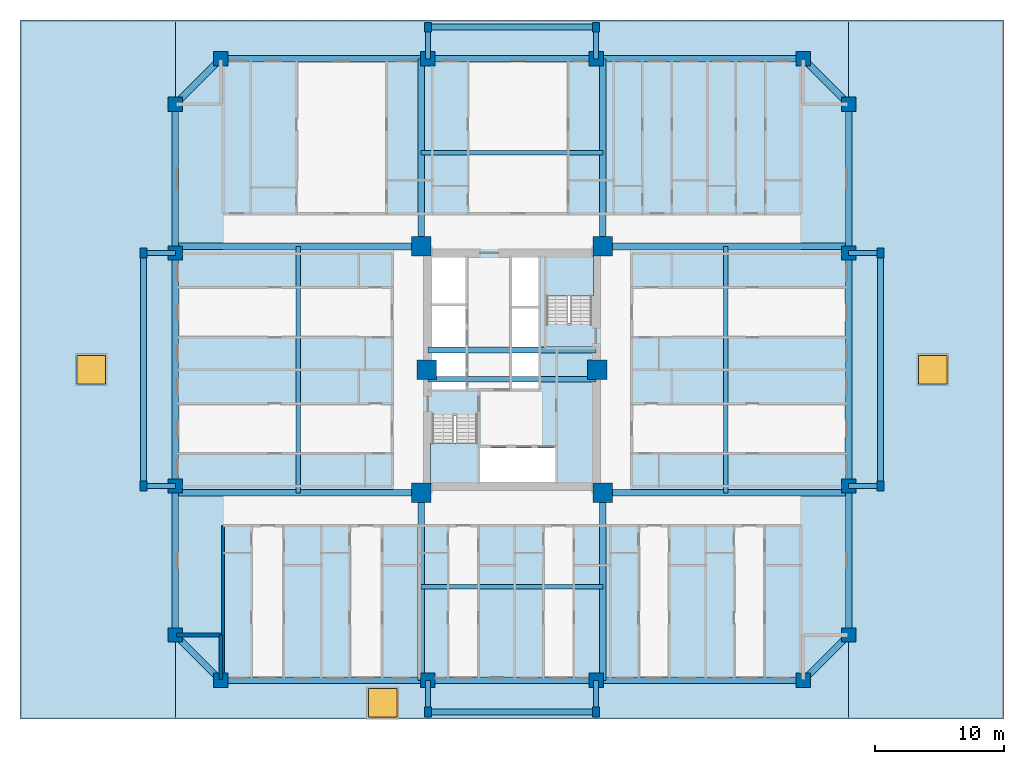
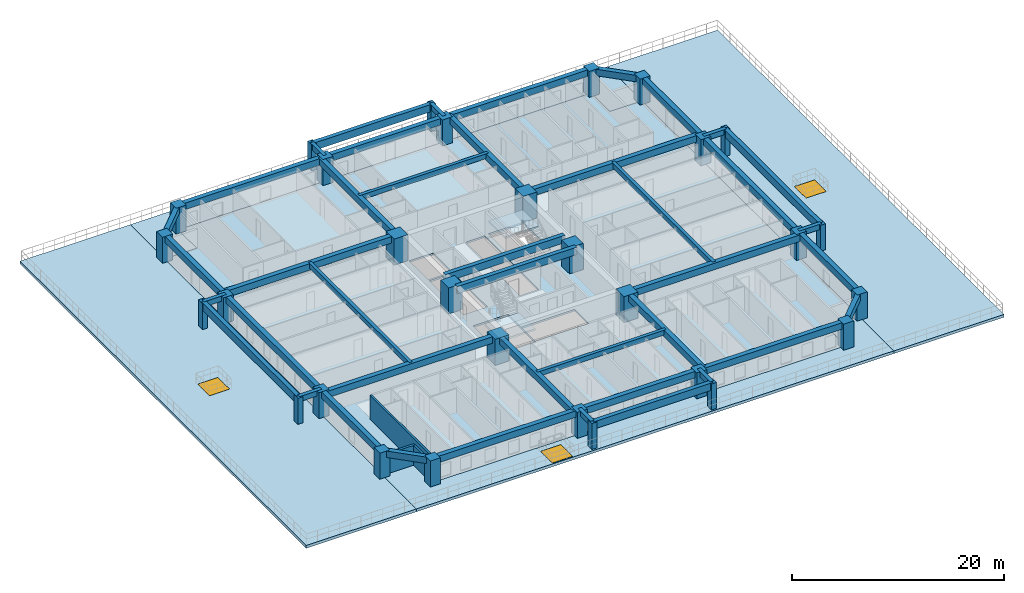
# One storey, part 1 of 19: 42 beams, 30 columns, 7 slabs, 3 walls, 3 windows, 3 openings, 2 elements without a shape of their own.
"""IFC4 building model written with IfcOpenShell, lengths in metres."""

from ifc_helpers import new_model, si_unit, direction, frame, frame_2d, origin, origin_2d, place, context, subcontext, project, spatial, polyline, rectangle, outline, extrude, source, transform, mapped, material, layer, layer_set, material_profile, profile_set, type_object, element, fill, aggregate, save


model = new_model("IFC4")

# Units and contexts
model_context = context("Model", 3, precision=1e-05, world=origin(), true_north=direction((0.0, 1.0)))
body_context = subcontext(model_context, "Body", "Model", "MODEL_VIEW")
ifc_project = project(units=[si_unit("LENGTHUNIT", "METRE"), si_unit("AREAUNIT", "SQUARE_METRE"), si_unit("VOLUMEUNIT", "CUBIC_METRE"), si_unit("PLANEANGLEUNIT", "RADIAN"), si_unit("MASSUNIT", "GRAM", prefix="KILO")], contexts=[model_context])

# Site, building, storey
site_placement = place(None, origin())
site = spatial("IfcSite", under=ifc_project, at=site_placement, CompositionType="ELEMENT")
building_placement = place(site_placement, origin())
building = spatial("IfcBuilding", under=site, at=building_placement, Name="Saelheon Loggia Tower", CompositionType="ELEMENT")
storey_placement = place(building_placement, frame((0.0, 0.0, 19.39990234375)))
storey = spatial("IfcBuildingStorey", under=building, at=storey_placement, Name="L05", CompositionType="ELEMENT", Elevation=19.39990234375)

# Columns
ifc_material_1 = material(Name="Concrete C60/75", Category="concrete")
ifc_material_profile_1 = material_profile(ifc_material_1, rectangle(XDim=1.5, YDim=1.5, at=origin_2d()), Name="RC-1500x1500")
ifc_profile_set_1 = profile_set([ifc_material_profile_1], Name="Concrete C60/75")
column_type_1 = type_object("IfcColumnType", Name="Col_Core_RC1500", PredefinedType="COLUMN", material=ifc_profile_set_1)
shared_shape_1 = source(origin(), body_context, "Body", "SweptSolid", [
    extrude(rectangle(XDim=1.5, YDim=1.5, at=origin_2d()), origin(), (0.0, 0.0, 1.0), 3.0),
])
for number, where, z_axis, x_axis, name in (
    (1, (30.97998046875, 17.47998046875, 0.0), (0.0, 0.0, 1.0), (1.0, 0.0, 0.0), "L05 Core Column CR-SW"),
    (2, (45.02001953125, 17.47998046875, 0.0), (0.0, 0.0, 1.0), (1.0, 0.0, 0.0), "L05 Core Column CR-SE"),
    (3, (30.97998046875, 36.52001953125, 0.0), (0.0, 0.0, 1.0), (1.0, 0.0, 0.0), "L05 Core Column CR-NW"),
    (4, (45.02001953125, 36.52001953125, 0.0), (0.0, 0.0, 1.0), (1.0, 0.0, 0.0), "L05 Core Column CR-NE"),
    (5, (31.419921875, 27.0, 0.0), (0.0, 0.0, 1.0), (1.0, 0.0, 0.0), "L05 Core Column CR-MW"),
    (6, (44.580078125, 27.0, 0.0), (0.0, 0.0, 1.0), (1.0, 0.0, 0.0), "L05 Core Column CR-ME"),
):
    element("IfcColumn", number, at=place(storey_placement, frame(where, z_axis=z_axis, x_axis=x_axis)), inside=storey, type_object=column_type_1, Name=name, PredefinedType="COLUMN", context=body_context, shape_type="MappedRepresentation", body=[
        mapped(shared_shape_1, transform((0.0, 0.0, 0.0), scale=1.0)),
    ])
ifc_material_2 = material(Name="Concrete C50/60", Category="concrete")
ifc_material_profile_2 = material_profile(ifc_material_2, rectangle(XDim=1.10009765625, YDim=1.10009765625, at=origin_2d()), Name="RC-1100x1100")
ifc_profile_set_2 = profile_set([ifc_material_profile_2], Name="Concrete C50/60")
column_type_2 = type_object("IfcColumnType", Name="Col_PerimExt_RC1100", PredefinedType="COLUMN", material=ifc_profile_set_2)
shared_shape_2 = source(origin(), body_context, "Body", "SweptSolid", [
    extrude(rectangle(XDim=1.10009765625, YDim=1.10009765625, at=origin_2d()), origin(), (0.0, 0.0, 1.0), 3.0),
])
for number, where, z_axis, x_axis, name in (
    (7, (15.5, 3.0, 0.0), (0.0, 0.0, 1.0), (1.0, 0.0, 0.0), "L05 Perimeter Column TP-S1"),
    (8, (31.5, 3.0, 0.0), (0.0, 0.0, 1.0), (1.0, 0.0, 0.0), "L05 Perimeter Column TP-SA"),
    (9, (44.5, 3.0, 0.0), (0.0, 0.0, 1.0), (1.0, 0.0, 0.0), "L05 Perimeter Column TP-SB"),
    (10, (60.5, 3.0, 0.0), (0.0, 0.0, 1.0), (1.0, 0.0, 0.0), "L05 Perimeter Column TP-S2"),
    (11, (64.0, 6.5, 0.0), (0.0, 0.0, 1.0), (1.0, 0.0, 0.0), "L05 Perimeter Column TP-E1"),
    (12, (64.0, 18.0, 0.0), (0.0, 0.0, 1.0), (1.0, 0.0, 0.0), "L05 Perimeter Column TP-EA"),
    (13, (64.0, 36.0, 0.0), (0.0, 0.0, 1.0), (1.0, 0.0, 0.0), "L05 Perimeter Column TP-EB"),
    (14, (64.0, 47.5, 0.0), (0.0, 0.0, 1.0), (1.0, 0.0, 0.0), "L05 Perimeter Column TP-E2"),
    (15, (60.5, 51.0, 0.0), (0.0, 0.0, 1.0), (1.0, 0.0, 0.0), "L05 Perimeter Column TP-N2"),
    (16, (44.5, 51.0, 0.0), (0.0, 0.0, 1.0), (1.0, 0.0, 0.0), "L05 Perimeter Column TP-NB"),
    (17, (31.5, 51.0, 0.0), (0.0, 0.0, 1.0), (1.0, 0.0, 0.0), "L05 Perimeter Column TP-NA"),
    (18, (15.5, 51.0, 0.0), (0.0, 0.0, 1.0), (1.0, 0.0, 0.0), "L05 Perimeter Column TP-N1"),
    (19, (12.0, 47.5, 0.0), (0.0, 0.0, 1.0), (1.0, 0.0, 0.0), "L05 Perimeter Column TP-W2"),
    (20, (12.0, 36.0, 0.0), (0.0, 0.0, 1.0), (1.0, 0.0, 0.0), "L05 Perimeter Column TP-WB"),
    (21, (12.0, 18.0, 0.0), (0.0, 0.0, 1.0), (1.0, 0.0, 0.0), "L05 Perimeter Column TP-WA"),
    (22, (12.0, 6.5, 0.0), (0.0, 0.0, 1.0), (1.0, 0.0, 0.0), "L05 Perimeter Column TP-W1"),
):
    element("IfcColumn", number, at=place(storey_placement, frame(where, z_axis=z_axis, x_axis=x_axis)), inside=storey, type_object=column_type_2, Name=name, PredefinedType="COLUMN", context=body_context, shape_type="MappedRepresentation", body=[
        mapped(shared_shape_2, transform((0.0, 0.0, 0.0), scale=1.0)),
    ])
ifc_material_3 = material(Name="Precast Concrete C45/55", Category="concrete")
ifc_material_profile_3 = material_profile(ifc_material_3, rectangle(XDim=0.550048828125, YDim=0.75, at=origin_2d()), Name="RC-550x750")
ifc_profile_set_3 = profile_set([ifc_material_profile_3], Name="Precast Concrete C45/55")
column_type_3 = type_object("IfcColumnType", Name="Col_Loggia_Pilaster_750", PredefinedType="PILASTER", material=ifc_profile_set_3)
shared_shape_3 = source(origin(), body_context, "Body", "SweptSolid", [
    extrude(rectangle(XDim=0.550048828125, YDim=0.75, at=origin_2d()), origin(), (0.0, 0.0, 1.0), 3.0),
])
for number, where, z_axis, x_axis, name in (
    (23, (31.5, 0.550048828125, 0.0), (0.0, 0.0, 1.0), (1.0, 0.0, 0.0), "L05 Loggia Frame Pilaster LP-S1"),
    (24, (44.5, 0.550048828125, 0.0), (0.0, 0.0, 1.0), (1.0, 0.0, 0.0), "L05 Loggia Frame Pilaster LP-S2"),
    (25, (31.5, 53.449951171875, 0.0), (0.0, 0.0, 1.0), (1.0, 0.0, 0.0), "L05 Loggia Frame Pilaster LP-N1"),
    (26, (44.5, 53.449951171875, 0.0), (0.0, 0.0, 1.0), (1.0, 0.0, 0.0), "L05 Loggia Frame Pilaster LP-N2"),
    (27, (66.449951171875, 18.0, 0.0), (0.0, 0.0, 1.0), (1.0, 0.0, 0.0), "L05 Loggia Frame Pilaster LP-E1"),
    (28, (66.449951171875, 36.0, 0.0), (0.0, 0.0, 1.0), (1.0, 0.0, 0.0), "L05 Loggia Frame Pilaster LP-E2"),
    (29, (9.550048828125, 18.0, 0.0), (0.0, 0.0, 1.0), (1.0, 0.0, 0.0), "L05 Loggia Frame Pilaster LP-W1"),
    (30, (9.550048828125, 36.0, 0.0), (0.0, 0.0, 1.0), (1.0, 0.0, 0.0), "L05 Loggia Frame Pilaster LP-W2"),
):
    element("IfcColumn", number, at=place(storey_placement, frame(where, z_axis=z_axis, x_axis=x_axis)), inside=storey, type_object=column_type_3, Name=name, PredefinedType="PILASTER", context=body_context, shape_type="MappedRepresentation", body=[
        mapped(shared_shape_3, transform((0.0, 0.0, 0.0), scale=1.0)),
    ])

# Beams
ifc_material_profile_4 = material_profile(ifc_material_2, rectangle(XDim=0.449951171875, YDim=0.85009765625, at=origin_2d()), Name="RC-450x850")
ifc_profile_set_4 = profile_set([ifc_material_profile_4], Name="Concrete C50/60")
beam_type_1 = type_object("IfcBeamType", Name="Beam_CoreLintel_RC450x850", PredefinedType="LINTEL", material=ifc_profile_set_4)
shared_shape_4 = source(origin(), body_context, "Body", "SweptSolid", [
    extrude(rectangle(XDim=0.449951171875, YDim=0.85009765625, at=origin_2d()), origin(), (0.0, 0.0, 1.0), 13.0),
])
for number, where, z_axis, x_axis, name in (
    (31, (31.5, 26.25, 2.5751953125), (1.0, 0.0, 0.0), (0.0, 1.0, 0.0), "L05 Core Coupling Lintel 1"),
    (32, (31.5, 28.5, 2.5751953125), (1.0, 0.0, 0.0), (0.0, 1.0, 0.0), "L05 Core Coupling Lintel 2"),
):
    element("IfcBeam", number, at=place(storey_placement, frame(where, z_axis=z_axis, x_axis=x_axis)), inside=storey, type_object=beam_type_1, Name=name, PredefinedType="LINTEL", context=body_context, shape_type="MappedRepresentation", body=[
        mapped(shared_shape_4, transform((0.0, 0.0, 0.0), scale=1.0)),
    ])
ifc_material_profile_5 = material_profile(ifc_material_3, rectangle(XDim=0.449951171875, YDim=0.85009765625, at=origin_2d()), Name="RC-450x850")
ifc_profile_set_5 = profile_set([ifc_material_profile_5], Name="Precast Concrete C45/55")
beam_type_2 = type_object("IfcBeamType", Name="Beam_LoggiaSpandrel_RC450x850", PredefinedType="SPANDREL", material=ifc_profile_set_5)
for number, where, z_axis, x_axis, name in (
    (33, (31.5, 0.550048828125, 2.5751953125), (1.0, 0.0, 0.0), (0.0, 1.0, 0.0), "L05 Loggia Spandrel Beam S"),
    (34, (31.5, 53.449951171875, 2.5751953125), (1.0, 0.0, 0.0), (0.0, 1.0, 0.0), "L05 Loggia Spandrel Beam N"),
):
    element("IfcBeam", number, at=place(storey_placement, frame(where, z_axis=z_axis, x_axis=x_axis)), inside=storey, type_object=beam_type_2, Name=name, PredefinedType="SPANDREL", context=body_context, shape_type="MappedRepresentation", body=[
        mapped(shared_shape_4, transform((0.0, 0.0, 0.0), scale=1.0)),
    ])
ifc_material_4 = material(Name="Concrete C45/55", Category="concrete")
ifc_material_profile_6 = material_profile(ifc_material_4, rectangle(XDim=0.5, YDim=0.75, at=origin_2d()), Name="RC-500x750")
ifc_profile_set_6 = profile_set([ifc_material_profile_6], Name="Concrete C45/55")
beam_type_3 = type_object("IfcBeamType", Name="Beam_FloorGirder_RC500x750", PredefinedType="BEAM", material=ifc_profile_set_6)
shared_shape_5 = source(origin(), body_context, "Body", "SweptSolid", [
    extrude(rectangle(XDim=0.5, YDim=0.75, at=origin_2d()), origin(), (0.0, 0.0, 1.0), 14.47998046875),
])
for number, where, z_axis, x_axis, name in (
    (35, (30.97998046875, 17.47998046875, 2.625), (0.0, -1.0, 0.0), (1.0, 0.0, 0.0), "L05 Radial Floor Girder RAD-SW-S"),
    (36, (45.02001953125, 17.47998046875, 2.625), (0.0, -1.0, 0.0), (1.0, 0.0, 0.0), "L05 Radial Floor Girder RAD-SE-S"),
    (37, (30.97998046875, 36.52001953125, 2.625), (0.0, 1.0, 0.0), (-1.0, 0.0, 0.0), "L05 Radial Floor Girder RAD-NW-N"),
    (38, (45.02001953125, 36.52001953125, 2.625), (0.0, 1.0, 0.0), (-1.0, 0.0, 0.0), "L05 Radial Floor Girder RAD-NE-N"),
):
    element("IfcBeam", number, at=place(storey_placement, frame(where, z_axis=z_axis, x_axis=x_axis)), inside=storey, type_object=beam_type_3, Name=name, PredefinedType="BEAM", context=body_context, shape_type="MappedRepresentation", body=[
        mapped(shared_shape_5, transform((0.0, 0.0, 0.0), scale=1.0)),
    ])
ifc_material_profile_7 = material_profile(ifc_material_4, rectangle(XDim=0.5, YDim=0.75, at=origin_2d()), Name="RC-500x750")
ifc_profile_set_7 = profile_set([ifc_material_profile_7], Name="Concrete C45/55")
beam_type_4 = type_object("IfcBeamType", Name="Beam_PerimGirder_RC500x750", PredefinedType="BEAM", material=ifc_profile_set_7)
shared_shape_6 = source(origin(), body_context, "Body", "SweptSolid", [
    extrude(rectangle(XDim=0.5, YDim=0.75, at=origin_2d()), origin(), (0.0, 0.0, 1.0), 16.0),
])
for number, where, z_axis, x_axis, name in (
    (39, (15.5, 3.0, 2.625), (1.0, 0.0, 0.0), (0.0, 1.0, 0.0), "L05 Perimeter Frame Girder 01"),
    (40, (44.5, 3.0, 2.625), (1.0, 0.0, 0.0), (0.0, 1.0, 0.0), "L05 Perimeter Frame Girder 03"),
    (41, (60.5, 51.0, 2.625), (-1.0, 0.0, 0.0), (0.0, -1.0, 0.0), "L05 Perimeter Frame Girder 09"),
    (42, (31.5, 51.0, 2.625), (-1.0, 0.0, 0.0), (0.0, -1.0, 0.0), "L05 Perimeter Frame Girder 11"),
):
    element("IfcBeam", number, at=place(storey_placement, frame(where, z_axis=z_axis, x_axis=x_axis)), inside=storey, type_object=beam_type_4, Name=name, PredefinedType="BEAM", context=body_context, shape_type="MappedRepresentation", body=[
        mapped(shared_shape_6, transform((0.0, 0.0, 0.0), scale=1.0)),
    ])
shared_shape_7 = source(origin(), body_context, "Body", "SweptSolid", [
    extrude(rectangle(XDim=0.5, YDim=0.75, at=origin_2d()), origin(), (0.0, 0.0, 1.0), 13.0),
])
for number, where, z_axis, x_axis, name in (
    (43, (31.5, 3.0, 2.625), (1.0, 0.0, 0.0), (0.0, 1.0, 0.0), "L05 Perimeter Frame Girder 02"),
    (44, (44.5, 51.0, 2.625), (-1.0, 0.0, 0.0), (0.0, -1.0, 0.0), "L05 Perimeter Frame Girder 10"),
):
    element("IfcBeam", number, at=place(storey_placement, frame(where, z_axis=z_axis, x_axis=x_axis)), inside=storey, type_object=beam_type_4, Name=name, PredefinedType="BEAM", context=body_context, shape_type="MappedRepresentation", body=[
        mapped(shared_shape_7, transform((0.0, 0.0, 0.0), scale=1.0)),
    ])
shared_shape_8 = source(origin(), body_context, "Body", "SweptSolid", [
    extrude(rectangle(XDim=0.5, YDim=0.75, at=origin_2d()), origin(), (0.0, 0.0, 1.0), 4.94970703125),
])
for number, where, z_axis, x_axis, name in (
    (45, (60.5, 3.0, 2.625), (0.707106781187, 0.707106781187, 0.0), (-0.707106781187, 0.707106781187, 0.0), "L05 Perimeter Frame Girder 04"),
    (46, (64.0, 47.5, 2.625), (-0.707106781187, 0.707106781187, 0.0), (-0.707106781187, -0.707106781187, 0.0), "L05 Perimeter Frame Girder 08"),
    (47, (15.5, 51.0, 2.625), (-0.707106781187, -0.707106781187, 0.0), (0.707106781187, -0.707106781187, 0.0), "L05 Perimeter Frame Girder 12"),
    (48, (12.0, 6.5, 2.625), (0.707106781187, -0.707106781187, 0.0), (0.707106781187, 0.707106781187, 0.0), "L05 Perimeter Frame Girder 16"),
):
    element("IfcBeam", number, at=place(storey_placement, frame(where, z_axis=z_axis, x_axis=x_axis)), inside=storey, type_object=beam_type_4, Name=name, PredefinedType="BEAM", context=body_context, shape_type="MappedRepresentation", body=[
        mapped(shared_shape_8, transform((0.0, 0.0, 0.0), scale=1.0)),
    ])
shared_shape_9 = source(origin(), body_context, "Body", "SweptSolid", [
    extrude(rectangle(XDim=0.5, YDim=0.75, at=origin_2d()), origin(), (0.0, 0.0, 1.0), 11.5),
])
for number, where, z_axis, x_axis, name in (
    (49, (64.0, 6.5, 2.625), (0.0, 1.0, 0.0), (-1.0, 0.0, 0.0), "L05 Perimeter Frame Girder 05"),
    (50, (64.0, 36.0, 2.625), (0.0, 1.0, 0.0), (-1.0, 0.0, 0.0), "L05 Perimeter Frame Girder 07"),
    (51, (12.0, 47.5, 2.625), (0.0, -1.0, 0.0), (1.0, 0.0, 0.0), "L05 Perimeter Frame Girder 13"),
    (52, (12.0, 18.0, 2.625), (0.0, -1.0, 0.0), (1.0, 0.0, 0.0), "L05 Perimeter Frame Girder 15"),
):
    element("IfcBeam", number, at=place(storey_placement, frame(where, z_axis=z_axis, x_axis=x_axis)), inside=storey, type_object=beam_type_4, Name=name, PredefinedType="BEAM", context=body_context, shape_type="MappedRepresentation", body=[
        mapped(shared_shape_9, transform((0.0, 0.0, 0.0), scale=1.0)),
    ])
shared_shape_10 = source(origin(), body_context, "Body", "SweptSolid", [
    extrude(rectangle(XDim=0.5, YDim=0.75, at=origin_2d()), origin(), (0.0, 0.0, 1.0), 18.0),
])
for number, where, z_axis, x_axis, name in (
    (53, (64.0, 18.0, 2.625), (0.0, 1.0, 0.0), (-1.0, 0.0, 0.0), "L05 Perimeter Frame Girder 06"),
    (54, (12.0, 36.0, 2.625), (0.0, -1.0, 0.0), (1.0, 0.0, 0.0), "L05 Perimeter Frame Girder 14"),
):
    element("IfcBeam", number, at=place(storey_placement, frame(where, z_axis=z_axis, x_axis=x_axis)), inside=storey, type_object=beam_type_4, Name=name, PredefinedType="BEAM", context=body_context, shape_type="MappedRepresentation", body=[
        mapped(shared_shape_10, transform((0.0, 0.0, 0.0), scale=1.0)),
    ])
shared_shape_11 = source(origin(), body_context, "Body", "SweptSolid", [
    extrude(rectangle(XDim=0.5, YDim=0.75, at=origin_2d()), origin(), (0.0, 0.0, 1.0), 18.97998046875),
])
for number, where, z_axis, x_axis, name in (
    (55, (30.97998046875, 17.47998046875, 2.625), (-1.0, 0.0, 0.0), (0.0, -1.0, 0.0), "L05 Radial Floor Girder RAD-SW-W"),
    (56, (30.97998046875, 36.52001953125, 2.625), (-1.0, 0.0, 0.0), (0.0, -1.0, 0.0), "L05 Radial Floor Girder RAD-NW-W"),
    (57, (45.02001953125, 17.47998046875, 2.625), (1.0, 0.0, 0.0), (0.0, 1.0, 0.0), "L05 Radial Floor Girder RAD-SE-E"),
    (58, (45.02001953125, 36.52001953125, 2.625), (1.0, 0.0, 0.0), (0.0, 1.0, 0.0), "L05 Radial Floor Girder RAD-NE-E"),
):
    element("IfcBeam", number, at=place(storey_placement, frame(where, z_axis=z_axis, x_axis=x_axis)), inside=storey, type_object=beam_type_3, Name=name, PredefinedType="BEAM", context=body_context, shape_type="MappedRepresentation", body=[
        mapped(shared_shape_11, transform((0.0, 0.0, 0.0), scale=1.0)),
    ])
ifc_material_5 = material(Name="Concrete C40/50", Category="concrete")
ifc_material_profile_8 = material_profile(ifc_material_5, rectangle(XDim=0.35009765625, YDim=0.550048828125, at=origin_2d()), Name="RC-350x550")
ifc_profile_set_8 = profile_set([ifc_material_profile_8], Name="Concrete C40/50")
beam_type_5 = type_object("IfcBeamType", Name="Beam_Joist_RC350x550", PredefinedType="JOIST", material=ifc_profile_set_8)
shared_shape_12 = source(origin(), body_context, "Body", "SweptSolid", [
    extrude(rectangle(XDim=0.35009765625, YDim=0.550048828125, at=origin_2d()), origin(), (0.0, 0.0, 1.0), 14.0400390625),
])
for number, where, z_axis, x_axis, name in (
    (59, (30.97998046875, 10.239990234375, 2.72509765625), (1.0, 0.0, 0.0), (0.0, 1.0, 0.0), "L05 South Floor Joist"),
    (60, (30.97998046875, 43.760009765625, 2.72509765625), (1.0, 0.0, 0.0), (0.0, 1.0, 0.0), "L05 North Floor Joist"),
):
    element("IfcBeam", number, at=place(storey_placement, frame(where, z_axis=z_axis, x_axis=x_axis)), inside=storey, type_object=beam_type_5, Name=name, PredefinedType="JOIST", context=body_context, shape_type="MappedRepresentation", body=[
        mapped(shared_shape_12, transform((0.0, 0.0, 0.0), scale=1.0)),
    ])
shared_shape_13 = source(origin(), body_context, "Body", "SweptSolid", [
    extrude(rectangle(XDim=0.35009765625, YDim=0.550048828125, at=origin_2d()), origin(), (0.0, 0.0, 1.0), 19.0400390625),
])
for number, where, z_axis, x_axis, name in (
    (61, (21.489990234375, 17.47998046875, 2.72509765625), (0.0, 1.0, 0.0), (-1.0, 0.0, 0.0), "L05 West Floor Joist"),
    (62, (54.510009765625, 17.47998046875, 2.72509765625), (0.0, 1.0, 0.0), (-1.0, 0.0, 0.0), "L05 East Floor Joist"),
):
    element("IfcBeam", number, at=place(storey_placement, frame(where, z_axis=z_axis, x_axis=x_axis)), inside=storey, type_object=beam_type_5, Name=name, PredefinedType="JOIST", context=body_context, shape_type="MappedRepresentation", body=[
        mapped(shared_shape_13, transform((0.0, 0.0, 0.0), scale=1.0)),
    ])
ifc_material_profile_9 = material_profile(ifc_material_3, rectangle(XDim=0.39990234375, YDim=0.60009765625, at=origin_2d()), Name="RC-400x600")
ifc_profile_set_9 = profile_set([ifc_material_profile_9], Name="Precast Concrete C45/55")
beam_type_6 = type_object("IfcBeamType", Name="Beam_LoggiaTie_RC400x600", PredefinedType="BEAM", material=ifc_profile_set_9)
shared_shape_14 = source(origin(), body_context, "Body", "SweptSolid", [
    extrude(rectangle(XDim=0.39990234375, YDim=0.60009765625, at=origin_2d()), origin(), (0.0, 0.0, 1.0), 2.449951171875),
])
for number, where, z_axis, x_axis, name in (
    (63, (31.5, 3.0, 2.7001953125), (0.0, -1.0, 0.0), (1.0, 0.0, 0.0), "L05 Loggia Frame Tie Beam LP-S1"),
    (64, (44.5, 3.0, 2.7001953125), (0.0, -1.0, 0.0), (1.0, 0.0, 0.0), "L05 Loggia Frame Tie Beam LP-S2"),
    (65, (31.5, 51.0, 2.7001953125), (0.0, 1.0, 0.0), (-1.0, 0.0, 0.0), "L05 Loggia Frame Tie Beam LP-N1"),
    (66, (44.5, 51.0, 2.7001953125), (0.0, 1.0, 0.0), (-1.0, 0.0, 0.0), "L05 Loggia Frame Tie Beam LP-N2"),
    (67, (64.0, 18.0, 2.7001953125), (1.0, 0.0, 0.0), (0.0, 1.0, 0.0), "L05 Loggia Frame Tie Beam LP-E1"),
    (68, (64.0, 36.0, 2.7001953125), (1.0, 0.0, 0.0), (0.0, 1.0, 0.0), "L05 Loggia Frame Tie Beam LP-E2"),
    (69, (12.0, 18.0, 2.7001953125), (-1.0, 0.0, 0.0), (0.0, -1.0, 0.0), "L05 Loggia Frame Tie Beam LP-W1"),
    (70, (12.0, 36.0, 2.7001953125), (-1.0, 0.0, 0.0), (0.0, -1.0, 0.0), "L05 Loggia Frame Tie Beam LP-W2"),
):
    element("IfcBeam", number, at=place(storey_placement, frame(where, z_axis=z_axis, x_axis=x_axis)), inside=storey, type_object=beam_type_6, Name=name, PredefinedType="BEAM", context=body_context, shape_type="MappedRepresentation", body=[
        mapped(shared_shape_14, transform((0.0, 0.0, 0.0), scale=1.0)),
    ])
shared_shape_15 = source(origin(), body_context, "Body", "SweptSolid", [
    extrude(rectangle(XDim=0.449951171875, YDim=0.85009765625, at=origin_2d()), origin(), (0.0, 0.0, 1.0), 18.0),
])
for number, where, z_axis, x_axis, name in (
    (71, (66.449951171875, 18.0, 2.5751953125), (0.0, 1.0, 0.0), (-1.0, 0.0, 0.0), "L05 Loggia Spandrel Beam E"),
    (72, (9.550048828125, 18.0, 2.5751953125), (0.0, 1.0, 0.0), (-1.0, 0.0, 0.0), "L05 Loggia Spandrel Beam W"),
):
    element("IfcBeam", number, at=place(storey_placement, frame(where, z_axis=z_axis, x_axis=x_axis)), inside=storey, type_object=beam_type_2, Name=name, PredefinedType="SPANDREL", context=body_context, shape_type="MappedRepresentation", body=[
        mapped(shared_shape_15, transform((0.0, 0.0, 0.0), scale=1.0)),
    ])

# Slab, opening, window
ifc_layer_1 = layer(ifc_material_4, 0.320068359375)
ifc_layer_set_1 = layer_set([ifc_layer_1], Name="Concrete C45/55")
slab_type_1 = type_object("IfcSlabType", Name="Slab_RaisedGarden_Ext_320", PredefinedType="FLOOR", material=ifc_layer_set_1)
slab_1_placement = place(storey_placement, frame((0.0, 0.0, -0.31982421875)))
slab_1 = element("IfcSlab", 73, at=slab_1_placement, inside=storey, type_object=slab_type_1, Name="L05 Raised Public Garden Terrace West", PredefinedType="FLOOR", context=body_context, shape_type="SweptSolid", body=[
    extrude(outline(polyline([(0.0, 0.0), (12.0, 0.0), (12.0, 54.0), (0.0, 54.0), (0.0, 0.0)])), origin(), (0.0, 0.0, 1.0), 0.31982421875),
])
opening_1_placement = place(slab_1_placement, frame((5.5, 27.0, 0.0)))
opening_1 = element("IfcOpeningElement", 74, at=opening_1_placement, cuts=slab_1, Name="Opening SK-01", PredefinedType="OPENING", context=body_context, shape_type="SweptSolid", body=[
    extrude(rectangle(XDim=2.199951171875, YDim=2.199951171875, at=origin_2d()), frame((0.0, 0.0, -0.011962890625)), (0.0, 0.0, 1.0), 0.34375),
])
ifc_material_6 = material(Name="Laminated Structural Skylight Glass", Category="glass")
window_type = type_object("IfcWindowType", Name="Skylight_Garden_2200x2200", PartitioningType="SINGLE_PANEL", PredefinedType="SKYLIGHT", material=ifc_material_6)
window_1_placement = place(opening_1_placement, frame((0.0, 0.0, 0.269775390625)))
window_1 = element("IfcWindow", 75, at=window_1_placement, inside=storey, type_object=window_type, Name="L05 Raised Garden Clinic Skylight 1", OverallHeight=2.199951171875, OverallWidth=2.199951171875, PartitioningType="SINGLE_PANEL", PredefinedType="SKYLIGHT", context=body_context, shape_type="SweptSolid", body=[
    extrude(rectangle(XDim=2.199951171875, YDim=2.199951171875, at=origin_2d()), origin(), (0.0, 0.0, 1.0), 0.050048828125),
])
fill(opening_1, window_1)

slab_2_placement = place(storey_placement, frame((0.0, 0.0, -0.31982421875)))
slab_2 = element("IfcSlab", 76, at=slab_2_placement, inside=storey, type_object=slab_type_1, Name="L05 Raised Public Garden Terrace East", PredefinedType="FLOOR", context=body_context, shape_type="SweptSolid", body=[
    extrude(outline(polyline([(64.0, 0.0), (76.0, 0.0), (76.0, 54.0), (64.0, 54.0), (64.0, 0.0)])), origin(), (0.0, 0.0, 1.0), 0.31982421875),
])
opening_2_placement = place(slab_2_placement, frame((70.5, 27.0, 0.0)))
opening_2 = element("IfcOpeningElement", 77, at=opening_2_placement, cuts=slab_2, Name="Opening SK-01", PredefinedType="OPENING", context=body_context, shape_type="SweptSolid", body=[
    extrude(rectangle(XDim=2.199951171875, YDim=2.199951171875, at=origin_2d()), frame((0.0, 0.0, -0.011962890625)), (0.0, 0.0, 1.0), 0.34375),
])
window_2_placement = place(opening_2_placement, frame((0.0, 0.0, 0.269775390625)))
window_2 = element("IfcWindow", 78, at=window_2_placement, inside=storey, type_object=window_type, Name="L05 Raised Garden Clinic Skylight 2", OverallHeight=2.199951171875, OverallWidth=2.199951171875, PartitioningType="SINGLE_PANEL", PredefinedType="SKYLIGHT", context=body_context, shape_type="SweptSolid", body=[
    extrude(rectangle(XDim=2.199951171875, YDim=2.199951171875, at=origin_2d()), origin(), (0.0, 0.0, 1.0), 0.050048828125),
])
fill(opening_2, window_2)

slab_3_placement = place(storey_placement, frame((0.0, 0.0, -0.31982421875)))
slab_3 = element("IfcSlab", 79, at=slab_3_placement, inside=storey, type_object=slab_type_1, Name="L05 Raised Public Garden Terrace South", PredefinedType="FLOOR", context=body_context, shape_type="SweptSolid", body=[
    extrude(outline(polyline([(12.0, 0.0), (64.0, 0.0), (64.0, 6.5), (60.5, 6.5), (60.5, 3.0), (15.5, 3.0), (15.5, 6.5), (12.0, 6.5), (12.0, 0.0)])), origin(), (0.0, 0.0, 1.0), 0.31982421875),
])
opening_3_placement = place(slab_3_placement, frame((28.0, 1.25, 0.0)))
opening_3 = element("IfcOpeningElement", 80, at=opening_3_placement, cuts=slab_3, Name="Opening SK-01", PredefinedType="OPENING", context=body_context, shape_type="SweptSolid", body=[
    extrude(rectangle(XDim=2.199951171875, YDim=2.199951171875, at=origin_2d()), frame((0.0, 0.0, -0.011962890625)), (0.0, 0.0, 1.0), 0.34375),
])
window_3_placement = place(opening_3_placement, frame((0.0, 0.0, 0.269775390625)))
window_3 = element("IfcWindow", 81, at=window_3_placement, inside=storey, type_object=window_type, Name="L05 Raised Garden Clinic Skylight 3", OverallHeight=2.199951171875, OverallWidth=2.199951171875, PartitioningType="SINGLE_PANEL", PredefinedType="SKYLIGHT", context=body_context, shape_type="SweptSolid", body=[
    extrude(rectangle(XDim=2.199951171875, YDim=2.199951171875, at=origin_2d()), origin(), (0.0, 0.0, 1.0), 0.050048828125),
])
fill(opening_3, window_3)

# Slab
slab_4_placement = place(storey_placement, frame((0.0, 0.0, -0.31982421875)))
element("IfcSlab", 82, at=slab_4_placement, inside=storey, type_object=slab_type_1, Name="L05 Raised Public Garden Terrace North", PredefinedType="FLOOR", context=body_context, shape_type="SweptSolid", body=[
    extrude(outline(polyline([(12.0, 47.5), (15.5, 47.5), (15.5, 51.0), (60.5, 51.0), (60.5, 47.5), (64.0, 47.5), (64.0, 54.0), (12.0, 54.0), (12.0, 47.5)])), origin(), (0.0, 0.0, 1.0), 0.31982421875),
])

# Stair, slab
stair_type = type_object("IfcStairType", Name="Stair_Escape_Core", PredefinedType="HALF_TURN_STAIR", material=ifc_material_5)
stair_1_placement = place(storey_placement, origin())
stair_1 = element("IfcStair", 83, at=stair_1_placement, inside=storey, type_object=stair_type, Name="L05 Special Escape Stair ST1", PredefinedType="HALF_TURN_STAIR")
ifc_layer_2 = layer(ifc_material_5, 0.199951171875)
ifc_layer_set_2 = layer_set([ifc_layer_2], Name="Concrete C40/50")
slab_type_2 = type_object("IfcSlabType", Name="Slab_StairLanding_ST1", PredefinedType="LANDING", material=ifc_layer_set_2)
slab_5_placement = place(storey_placement, frame((0.0, 0.0, 1.300048828125)))
slab_5 = element("IfcSlab", 84, at=slab_5_placement, type_object=slab_type_2, Name="ST1 landing 1", PredefinedType="LANDING", context=body_context, shape_type="SweptSolid", body=[
    extrude(outline(polyline([(31.7099609375, 21.31005859375), (31.7099609375, 18.2099609375), (35.469970703125, 18.2099609375), (35.469970703125, 21.31005859375), (31.7099609375, 21.31005859375)])), origin(), (0.0, 0.0, 1.0), 0.199951171875),
])
aggregate(stair_1, [slab_5])

stair_2_placement = place(storey_placement, origin())
stair_2 = element("IfcStair", 85, at=stair_2_placement, inside=storey, type_object=stair_type, Name="L05 Special Escape Stair ST2", PredefinedType="HALF_TURN_STAIR")
ifc_layer_3 = layer(ifc_material_5, 0.199951171875)
ifc_layer_set_3 = layer_set([ifc_layer_3], Name="Concrete C40/50")
slab_type_3 = type_object("IfcSlabType", Name="Slab_StairLanding_ST2", PredefinedType="LANDING", material=ifc_layer_set_3)
slab_6_placement = place(storey_placement, frame((0.0, 0.0, 1.300048828125)))
slab_6 = element("IfcSlab", 86, at=slab_6_placement, type_object=slab_type_3, Name="ST2 landing 1", PredefinedType="LANDING", context=body_context, shape_type="SweptSolid", body=[
    extrude(outline(polyline([(44.2900390625, 32.68994140625), (44.2900390625, 35.7900390625), (40.530029296875, 35.7900390625), (40.530029296875, 32.68994140625), (44.2900390625, 32.68994140625)])), origin(), (0.0, 0.0, 1.0), 0.199951171875),
])
aggregate(stair_2, [slab_6])

# Slab
ifc_layer_4 = layer(ifc_material_5, 0.2099609375)
ifc_layer_set_4 = layer_set([ifc_layer_4], Name="Concrete C40/50")
slab_type_4 = type_object("IfcSlabType", Name="Slab_Tower_210", PredefinedType="FLOOR", material=ifc_layer_set_4)
slab_7_placement = place(storey_placement, frame((0.0, 0.0, -0.2099609375)))
element("IfcSlab", 87, at=slab_7_placement, inside=storey, type_object=slab_type_4, Name="L05 Tower Floor Slab", PredefinedType="FLOOR", context=body_context, shape_type="SweptSolid", body=[
    extrude(outline(polyline([(15.5, 3.0), (60.5, 3.0), (60.5, 6.5), (64.0, 6.5), (64.0, 47.5), (60.5, 47.5), (60.5, 51.0), (15.5, 51.0), (15.5, 47.5), (12.0, 47.5), (12.0, 6.5), (15.5, 6.5), (15.5, 3.0)]), holes=[polyline([(31.699951171875, 23.409912109375), (31.699951171875, 18.199951171875), (35.47998046875, 18.199951171875), (35.47998046875, 23.409912109375), (31.699951171875, 23.409912109375)]), polyline([(44.300048828125, 30.590087890625), (44.300048828125, 35.800048828125), (40.52001953125, 35.800048828125), (40.52001953125, 30.590087890625), (44.300048828125, 30.590087890625)]), polyline([(35.530029296875, 18.324951171875), (41.35009765625, 18.324951171875), (41.35009765625, 20.9599609375), (35.530029296875, 20.9599609375), (35.530029296875, 18.324951171875)]), polyline([(31.824951171875, 32.1201171875), (34.419921875, 32.1201171875), (34.419921875, 35.675048828125), (31.824951171875, 35.675048828125), (31.824951171875, 32.1201171875)]), polyline([(38.0, 31.89990234375), (40.050048828125, 31.89990234375), (40.050048828125, 35.675048828125), (38.0, 35.675048828125), (38.0, 31.89990234375)]), polyline([(31.824951171875, 25.449951171875), (34.419921875, 25.449951171875), (34.419921875, 31.919921875), (31.824951171875, 31.919921875), (31.824951171875, 25.449951171875)]), polyline([(38.0, 25.5400390625), (40.050048828125, 25.5400390625), (40.050048828125, 31.699951171875), (38.0, 31.699951171875), (38.0, 25.5400390625)])]), origin(), (0.0, 0.0, 1.0), 0.2099609375),
])

# Walls
ifc_material_7 = material(Name="Architectural Precast Concrete C40/50", Category="concrete")
ifc_layer_5 = layer(ifc_material_7, 0.280029296875)
ifc_layer_set_5 = layer_set([ifc_layer_5], Name="Architectural Precast Concrete C40/50")
wall_type_1 = type_object("IfcWallType", Name="Wall_Ext_Loggia_280", PredefinedType="SOLIDWALL", material=ifc_layer_set_5)
for number, where, z_axis, x_axis, name in (
    (88, (15.5, 3.080078125, 0.0), (0.0, 0.0, 1.0), (0.0, 1.0, 0.0), "L05 Corner Notch Precast Wall SW1"),
    (89, (12.080078125, 6.5, 0.0), (0.0, 0.0, 1.0), (1.0, 0.0, 0.0), "L05 Corner Notch Precast Wall SW2"),
):
    element("IfcWall", number, at=place(storey_placement, frame(where, z_axis=z_axis, x_axis=x_axis)), inside=storey, type_object=wall_type_1, Name=name, PredefinedType="SOLIDWALL", context=body_context, shape_type="SweptSolid", body=[
        extrude(rectangle(XDim=3.419921875, YDim=0.280029296875, at=frame_2d((1.7099609375, 0.0))), origin(), (0.0, 0.0, 1.0), 2.280029296875),
    ])
ifc_material_8 = material(Name="Double Acoustic Stud and Fireboard Partition", Category="gypsum")
ifc_layer_6 = layer(ifc_material_8, 0.199951171875)
ifc_layer_set_6 = layer_set([ifc_layer_6], Name="Double Acoustic Stud and Fireboard Partition")
wall_type_2 = type_object("IfcWallType", Name="Wall_Party_200", PredefinedType="PARTITIONING", material=ifc_layer_set_6)
wall_placement = place(storey_placement, frame((15.679931640625, 14.949951171875, 0.0), z_axis=(0.0, 0.0, 1.0), x_axis=(0.0, -1.0, 0.0)))
element("IfcWall", 90, at=wall_placement, inside=storey, type_object=wall_type_2, Name="L05 S Partition U01", PredefinedType="PARTITIONING", context=body_context, shape_type="SweptSolid", body=[
    extrude(rectangle(XDim=11.800048828125, YDim=0.199951171875, at=frame_2d((5.89990234375, 0.0))), origin(), (0.0, 0.0, 1.0), 2.7900390625),
])

save(model, "model.ifc")
